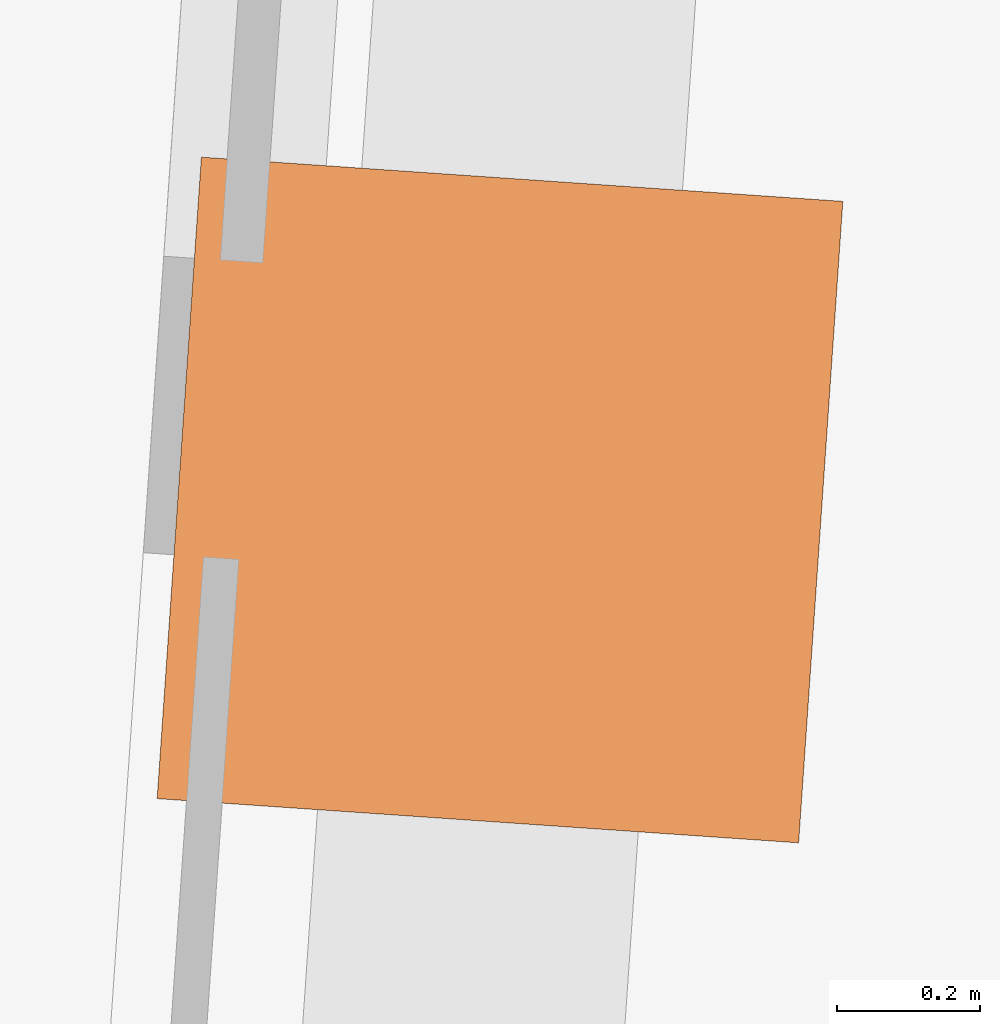
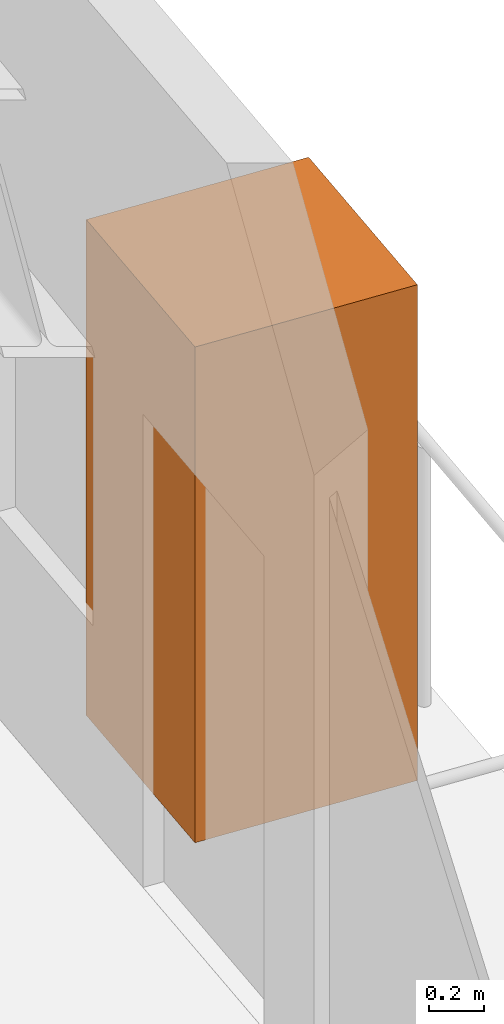
# One storey, part 10 of 10: 1 geographic element.
"""IFC4 building model written with IfcOpenShell, lengths in metres."""

from ifc_helpers import new_model, si_unit, direction, frame, origin, origin_2d, place, context, subcontext, project, spatial, rectangle, extrude, material, type_object, element, save


model = new_model("IFC4")

# Units and contexts
model_context = context("Model", 3, precision=1e-05, world=origin(), true_north=direction((0.0, 1.0)))
body_context = subcontext(model_context, "Body", "Model", "MODEL_VIEW")
ifc_project = project(units=[si_unit("LENGTHUNIT", "METRE"), si_unit("AREAUNIT", "SQUARE_METRE"), si_unit("VOLUMEUNIT", "CUBIC_METRE"), si_unit("PLANEANGLEUNIT", "RADIAN"), si_unit("MASSUNIT", "GRAM", prefix="KILO")], contexts=[model_context])

# Site, building, storey
site_placement = place(None, origin())
site = spatial("IfcSite", under=ifc_project, at=site_placement, CompositionType="ELEMENT")
building_placement = place(site_placement, origin())
building = spatial("IfcBuilding", under=site, at=building_placement, Name="Verdant Reach Tower", CompositionType="ELEMENT")
storey_placement = place(building_placement, frame((0.0, 0.0, 198.0)))
storey = spatial("IfcBuildingStorey", under=building, at=storey_placement, Name="L45", CompositionType="ELEMENT", Elevation=198.0)

# Geographic element
ifc_material = material(Name="Planting")
geographic_element_type = type_object("IfcGeographicElementType", Name="EN-TREE", PredefinedType="USERDEFINED", material=ifc_material)
geographic_element_placement = place(storey_placement, frame((23.9560546875, 55.1982421875, 0.39990234375), z_axis=(0.0, 0.0, 1.0), x_axis=(0.068802091615, 0.997630328423, 0.0)))
element("IfcGeographicElement", 1, at=geographic_element_placement, inside=storey, type_object=geographic_element_type, Name="Balcony tree, Yellow trumpet tree (Handroanthus albus), L45 1", ObjectType="TREE", PredefinedType="USERDEFINED", context=body_context, shape_type="SweptSolid", body=[
    extrude(rectangle(XDim=0.89990234375, YDim=0.89990234375, at=origin_2d()), origin(), (0.0, 0.0, 1.0), 2.199951171875),
])

save(model, "model.ifc")
